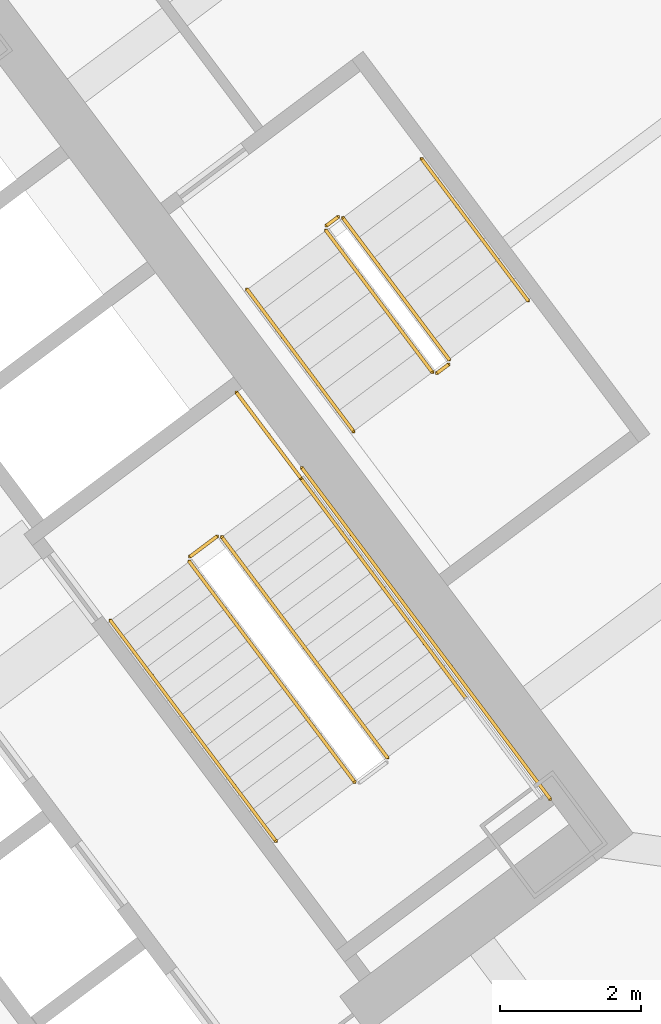
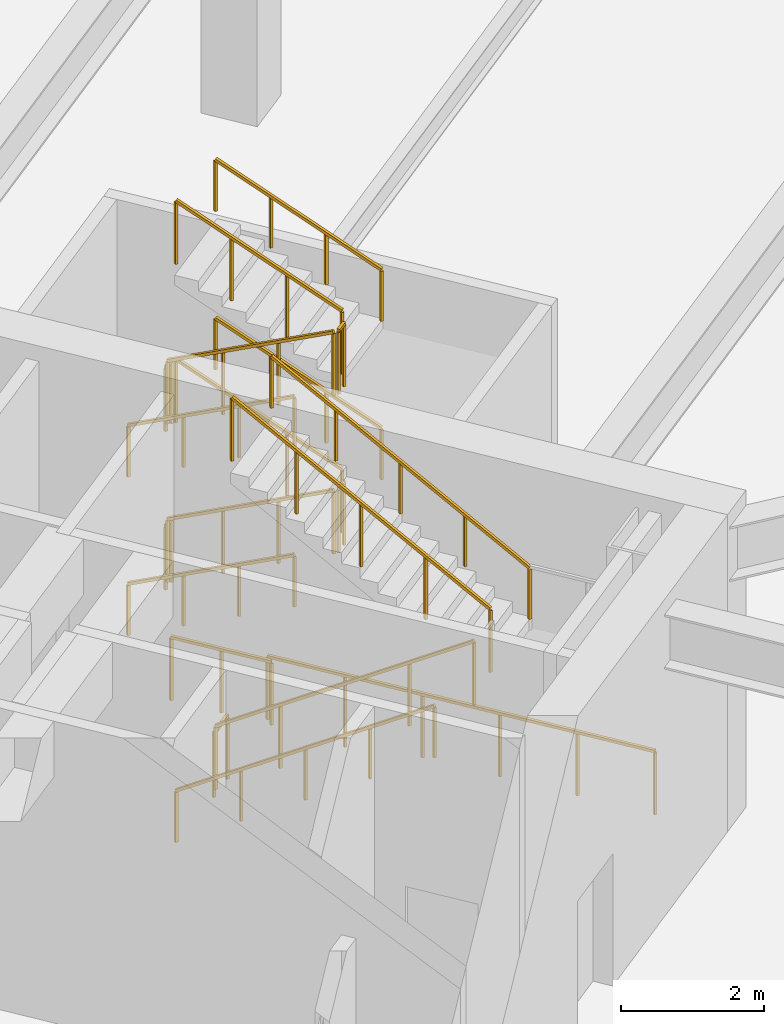
# One storey, part 47 of 48: 19 railings.
"""IFC4 building model written with IfcOpenShell, lengths in metres."""

from ifc_helpers import new_model, si_unit, direction, frame, origin, origin_2d, place, context, subcontext, project, spatial, rectangle, extrude, material, type_object, element, save


model = new_model("IFC4")

# Units and contexts
model_context = context("Model", 3, precision=1e-05, world=origin(), true_north=direction((0.0, 1.0)))
body_context = subcontext(model_context, "Body", "Model", "MODEL_VIEW")
ifc_project = project(units=[si_unit("LENGTHUNIT", "METRE"), si_unit("AREAUNIT", "SQUARE_METRE"), si_unit("VOLUMEUNIT", "CUBIC_METRE"), si_unit("PLANEANGLEUNIT", "RADIAN"), si_unit("MASSUNIT", "GRAM", prefix="KILO")], contexts=[model_context])

# Site, building, storey
site_placement = place(None, origin())
site = spatial("IfcSite", under=ifc_project, at=site_placement, CompositionType="ELEMENT")
building_placement = place(site_placement, origin())
building = spatial("IfcBuilding", under=site, at=building_placement, Name="Tashvorn Skyway Center", CompositionType="ELEMENT")
storey_placement = place(building_placement, frame((0.0, 0.0, 10.199951171875)))
storey = spatial("IfcBuildingStorey", under=building, at=storey_placement, Name="L02", CompositionType="ELEMENT", Elevation=10.199951171875)

# Railings
ifc_material_1 = material(Name="Brushed stainless steel 316", Category="steel")
railing_type_1 = type_object("IfcRailingType", Name="RAIL-HAND-920", PredefinedType="HANDRAIL", material=ifc_material_1)
railing_1_placement = place(storey_placement, frame((117.7119140625, 33.634033203125, 0.179931640625)))
element("IfcRailing", 1, at=railing_1_placement, inside=storey, type_object=railing_type_1, Name="L02 ST-T2-2 stair handrail 1", PredefinedType="HANDRAIL", context=body_context, shape_type="SweptSolid", body=[
    extrude(rectangle(XDim=0.048095703125, YDim=0.048095703125, at=origin_2d()), frame((0.0, 0.0, 0.8759765625), z_axis=(0.504715058908, -0.672935948897, 0.54075865041), x_axis=(0.799992526283, 0.600009964827, 0.0)), (0.0, 0.0, 1.0), 4.66015625),
    extrude(rectangle(XDim=0.0419921875, YDim=0.0419921875, at=origin_2d()), origin(), (0.0, 0.0, 1.0), 0.851806640625),
    extrude(rectangle(XDim=0.0419921875, YDim=0.0419921875, at=origin_2d()), frame((0.587890625, -0.783935546875, 0.6298828125)), (0.0, 0.0, 1.0), 0.851806640625),
    extrude(rectangle(XDim=0.0419921875, YDim=0.0419921875, at=origin_2d()), frame((1.176025390625, -1.56787109375, 1.260009765625)), (0.0, 0.0, 1.0), 0.851806640625),
    extrude(rectangle(XDim=0.0419921875, YDim=0.0419921875, at=origin_2d()), frame((1.76416015625, -2.35205078125, 1.89013671875)), (0.0, 0.0, 1.0), 0.851806640625),
    extrude(rectangle(XDim=0.0419921875, YDim=0.0419921875, at=origin_2d()), frame((2.35205078125, -3.135986328125, 2.52001953125)), (0.0, 0.0, 1.0), 0.851806640625),
])
railing_2_placement = place(storey_placement, frame((122.76806640625, 32.52587890625, 2.880126953125)))
element("IfcRailing", 2, at=railing_2_placement, inside=storey, type_object=railing_type_1, Name="L02 ST-T2-2 stair handrail 2", PredefinedType="HANDRAIL", context=body_context, shape_type="SweptSolid", body=[
    extrude(rectangle(XDim=0.048095703125, YDim=0.048095703125, at=origin_2d()), frame((0.0, 0.0, 0.8759765625), z_axis=(-0.504697265729, 0.672964612368, 0.540739586553), x_axis=(-0.800014946318, -0.599980071059, 0.0)), (0.0, 0.0, 1.0), 4.660400390625),
    extrude(rectangle(XDim=0.0419921875, YDim=0.0419921875, at=origin_2d()), origin(), (0.0, 0.0, 1.0), 0.851806640625),
    extrude(rectangle(XDim=0.0419921875, YDim=0.0419921875, at=origin_2d()), frame((-0.587890625, 0.7841796875, 0.6298828125)), (0.0, 0.0, 1.0), 0.851806640625),
    extrude(rectangle(XDim=0.0419921875, YDim=0.0419921875, at=origin_2d()), frame((-1.176025390625, 1.568115234375, 1.260009765625)), (0.0, 0.0, 1.0), 0.851806640625),
    extrude(rectangle(XDim=0.0419921875, YDim=0.0419921875, at=origin_2d()), frame((-1.76416015625, 2.35205078125, 1.89013671875)), (0.0, 0.0, 1.0), 0.851806640625),
    extrude(rectangle(XDim=0.0419921875, YDim=0.0419921875, at=origin_2d()), frame((-2.35205078125, 3.13623046875, 2.52001953125)), (0.0, 0.0, 1.0), 0.851806640625),
])
railing_3_placement = place(storey_placement, frame((119.656005859375, 38.342041015625, 0.168701171875)))
element("IfcRailing", 3, at=railing_3_placement, inside=storey, type_object=railing_type_1, Name="L02 ST-T2-3 stair handrail 1", PredefinedType="HANDRAIL", context=body_context, shape_type="SweptSolid", body=[
    extrude(rectangle(XDim=0.048095703125, YDim=0.048095703125, at=origin_2d()), frame((0.0, 0.0, 0.8759765625), z_axis=(0.543237809959, -0.724375558638, 0.42446758637), x_axis=(0.800023250257, 0.599968998406, 0.0)), (0.0, 0.0, 1.0), 2.783203125),
    extrude(rectangle(XDim=0.0419921875, YDim=0.0419921875, at=origin_2d()), origin(), (0.0, 0.0, 1.0), 0.851806640625),
    extrude(rectangle(XDim=0.0419921875, YDim=0.0419921875, at=origin_2d()), frame((0.50390625, -0.672119140625, 0.393798828125)), (0.0, 0.0, 1.0), 0.851806640625),
    extrude(rectangle(XDim=0.0419921875, YDim=0.0419921875, at=origin_2d()), frame((1.008056640625, -1.343994140625, 0.78759765625)), (0.0, 0.0, 1.0), 0.851806640625),
    extrude(rectangle(XDim=0.0419921875, YDim=0.0419921875, at=origin_2d()), frame((1.511962890625, -2.01611328125, 1.181396484375)), (0.0, 0.0, 1.0), 0.851806640625),
])
railing_4_placement = place(storey_placement, frame((123.64794921875, 38.18603515625, 1.518798828125)))
element("IfcRailing", 4, at=railing_4_placement, inside=storey, type_object=railing_type_1, Name="L02 ST-T2-3 stair handrail 2", PredefinedType="HANDRAIL", context=body_context, shape_type="SweptSolid", body=[
    extrude(rectangle(XDim=0.048095703125, YDim=0.048095703125, at=origin_2d()), frame((0.0, 0.0, 0.8759765625), z_axis=(-0.543292558447, 0.724360835636, 0.424422638102), x_axis=(-0.79998837352, -0.60001550166, 0.0)), (0.0, 0.0, 1.0), 2.782958984375),
    extrude(rectangle(XDim=0.0419921875, YDim=0.0419921875, at=origin_2d()), origin(), (0.0, 0.0, 1.0), 0.851806640625),
    extrude(rectangle(XDim=0.0419921875, YDim=0.0419921875, at=origin_2d()), frame((-0.50390625, 0.671875, 0.393798828125)), (0.0, 0.0, 1.0), 0.851806640625),
    extrude(rectangle(XDim=0.0419921875, YDim=0.0419921875, at=origin_2d()), frame((-1.008056640625, 1.343994140625, 0.787353515625)), (0.0, 0.0, 1.0), 0.851806640625),
    extrude(rectangle(XDim=0.0419921875, YDim=0.0419921875, at=origin_2d()), frame((-1.511962890625, 2.015869140625, 1.18115234375)), (0.0, 0.0, 1.0), 0.851806640625),
])
railing_5_placement = place(storey_placement, frame((119.656005859375, 38.342041015625, 2.868896484375)))
element("IfcRailing", 5, at=railing_5_placement, inside=storey, type_object=railing_type_1, Name="L02 ST-T2-3 stair handrail 3", PredefinedType="HANDRAIL", context=body_context, shape_type="SweptSolid", body=[
    extrude(rectangle(XDim=0.048095703125, YDim=0.048095703125, at=origin_2d()), frame((0.0, 0.0, 0.8759765625), z_axis=(0.543258035624, -0.724402528368, 0.424395668715), x_axis=(0.800023250257, 0.599968998406, 0.0)), (0.0, 0.0, 1.0), 2.783203125),
    extrude(rectangle(XDim=0.0419921875, YDim=0.0419921875, at=origin_2d()), origin(), (0.0, 0.0, 1.0), 0.851806640625),
    extrude(rectangle(XDim=0.0419921875, YDim=0.0419921875, at=origin_2d()), frame((0.50390625, -0.672119140625, 0.393798828125)), (0.0, 0.0, 1.0), 0.851806640625),
    extrude(rectangle(XDim=0.0419921875, YDim=0.0419921875, at=origin_2d()), frame((1.008056640625, -1.343994140625, 0.787353515625)), (0.0, 0.0, 1.0), 0.851806640625),
    extrude(rectangle(XDim=0.0419921875, YDim=0.0419921875, at=origin_2d()), frame((1.511962890625, -2.01611328125, 1.18115234375)), (0.0, 0.0, 1.0), 0.851806640625),
])
railing_6_placement = place(storey_placement, frame((123.64794921875, 38.18603515625, 4.21875)))
element("IfcRailing", 6, at=railing_6_placement, inside=storey, type_object=railing_type_1, Name="L02 ST-T2-3 stair handrail 4", PredefinedType="HANDRAIL", context=body_context, shape_type="SweptSolid", body=[
    extrude(rectangle(XDim=0.048095703125, YDim=0.048095703125, at=origin_2d()), frame((0.0, 0.0, 0.8759765625), z_axis=(-0.543272328926, 0.72433386403, 0.424494558319), x_axis=(-0.79998837352, -0.60001550166, 0.0)), (0.0, 0.0, 1.0), 2.782958984375),
    extrude(rectangle(XDim=0.0419921875, YDim=0.0419921875, at=origin_2d()), origin(), (0.0, 0.0, 1.0), 0.851806640625),
    extrude(rectangle(XDim=0.0419921875, YDim=0.0419921875, at=origin_2d()), frame((-0.50390625, 0.671875, 0.393798828125)), (0.0, 0.0, 1.0), 0.851806640625),
    extrude(rectangle(XDim=0.0419921875, YDim=0.0419921875, at=origin_2d()), frame((-1.008056640625, 1.343994140625, 0.78759765625)), (0.0, 0.0, 1.0), 0.851806640625),
    extrude(rectangle(XDim=0.0419921875, YDim=0.0419921875, at=origin_2d()), frame((-1.511962890625, 2.015869140625, 1.181396484375)), (0.0, 0.0, 1.0), 0.851806640625),
])
ifc_material_2 = material(Name="Painted galvanized steel S355", Category="steel")
railing_type_2 = type_object("IfcRailingType", Name="RAIL-STGUARD-1100", PredefinedType="GUARDRAIL", material=ifc_material_2)
railing_7_placement = place(storey_placement, frame((118.83203125, 34.47412109375, 0.179931640625)))
element("IfcRailing", 7, at=railing_7_placement, inside=storey, type_object=railing_type_2, Name="L02 ST-T2-2 stair guard 1", PredefinedType="GUARDRAIL", context=body_context, shape_type="SweptSolid", body=[
    extrude(rectangle(XDim=0.048095703125, YDim=0.048095703125, at=origin_2d()), frame((0.0, 0.0, 1.076171875), z_axis=(0.504697265729, -0.672964612368, 0.540739586553), x_axis=(0.800014946318, 0.599980071059, 0.0)), (0.0, 0.0, 1.0), 4.660400390625),
    extrude(rectangle(XDim=0.0419921875, YDim=0.0419921875, at=origin_2d()), origin(), (0.0, 0.0, 1.0), 1.052001953125),
    extrude(rectangle(XDim=0.0419921875, YDim=0.0419921875, at=origin_2d()), frame((0.587890625, -0.7841796875, 0.6298828125)), (0.0, 0.0, 1.0), 1.052001953125),
    extrude(rectangle(XDim=0.0419921875, YDim=0.0419921875, at=origin_2d()), frame((1.176025390625, -1.568115234375, 1.260009765625)), (0.0, 0.0, 1.0), 1.052001953125),
    extrude(rectangle(XDim=0.0419921875, YDim=0.0419921875, at=origin_2d()), frame((1.76416015625, -2.35205078125, 1.89013671875)), (0.0, 0.0, 1.0), 1.052001953125),
    extrude(rectangle(XDim=0.0419921875, YDim=0.0419921875, at=origin_2d()), frame((2.35205078125, -3.13623046875, 2.52001953125)), (0.0, 0.0, 1.0), 1.052001953125),
])
railing_8_placement = place(storey_placement, frame((121.64794921875, 31.68603515625, 2.880126953125)))
element("IfcRailing", 8, at=railing_8_placement, inside=storey, type_object=railing_type_2, Name="L02 ST-T2-2 stair guard 4", PredefinedType="GUARDRAIL", context=body_context, shape_type="SweptSolid", body=[
    extrude(rectangle(XDim=0.048095703125, YDim=0.048095703125, at=origin_2d()), frame((0.0, 0.0, 1.076171875), z_axis=(-0.504715058908, 0.672935948897, 0.54075865041), x_axis=(-0.799992526283, -0.600009964827, 0.0)), (0.0, 0.0, 1.0), 4.66015625),
    extrude(rectangle(XDim=0.0419921875, YDim=0.0419921875, at=origin_2d()), origin(), (0.0, 0.0, 1.0), 1.052001953125),
    extrude(rectangle(XDim=0.0419921875, YDim=0.0419921875, at=origin_2d()), frame((-0.587890625, 0.783935546875, 0.6298828125)), (0.0, 0.0, 1.0), 1.052001953125),
    extrude(rectangle(XDim=0.0419921875, YDim=0.0419921875, at=origin_2d()), frame((-1.176025390625, 1.56787109375, 1.260009765625)), (0.0, 0.0, 1.0), 1.052001953125),
    extrude(rectangle(XDim=0.0419921875, YDim=0.0419921875, at=origin_2d()), frame((-1.76416015625, 2.35205078125, 1.89013671875)), (0.0, 0.0, 1.0), 1.052001953125),
    extrude(rectangle(XDim=0.0419921875, YDim=0.0419921875, at=origin_2d()), frame((-2.35205078125, 3.135986328125, 2.52001953125)), (0.0, 0.0, 1.0), 1.052001953125),
])
railing_9_placement = place(storey_placement, frame((118.842041015625, 34.5439453125, 0.0)))
element("IfcRailing", 9, at=railing_9_placement, inside=storey, type_object=railing_type_2, Name="L02 ST-T2-2 stair guard 5", PredefinedType="GUARDRAIL", context=body_context, shape_type="SweptSolid", body=[
    extrude(rectangle(XDim=0.048095703125, YDim=0.048095703125, at=origin_2d()), frame((0.0, 0.0, 1.076171875), z_axis=(0.799938970639, 0.600081363861, 0.0), x_axis=(-0.600081363861, 0.799938970639, 0.0)), (0.0, 0.0, 1.0), 0.47998046875),
    extrude(rectangle(XDim=0.0419921875, YDim=0.0419921875, at=origin_2d()), origin(), (0.0, 0.0, 1.0), 1.052001953125),
    extrude(rectangle(XDim=0.0419921875, YDim=0.0419921875, at=origin_2d()), frame((0.384033203125, 0.2880859375, 0.0)), (0.0, 0.0, 1.0), 1.052001953125),
])
railing_10_placement = place(storey_placement, frame((119.50390625, 36.8779296875, 0.0)))
element("IfcRailing", 10, at=railing_10_placement, inside=storey, type_object=railing_type_2, Name="L02 ST-T2-2 stair guard 6", PredefinedType="GUARDRAIL", context=body_context, shape_type="SweptSolid", body=[
    extrude(rectangle(XDim=0.048095703125, YDim=0.048095703125, at=origin_2d()), frame((0.0, 0.0, 1.076171875), z_axis=(0.600102796382, -0.799922892393, 0.0), x_axis=(0.799922892393, 0.600102796382, 0.0)), (0.0, 0.0, 1.0), 1.52001953125),
    extrude(rectangle(XDim=0.0419921875, YDim=0.0419921875, at=origin_2d()), origin(), (0.0, 0.0, 1.0), 1.052001953125),
    extrude(rectangle(XDim=0.0419921875, YDim=0.0419921875, at=origin_2d()), frame((0.4560546875, -0.60791015625, 0.0)), (0.0, 0.0, 1.0), 1.052001953125),
    extrude(rectangle(XDim=0.0419921875, YDim=0.0419921875, at=origin_2d()), frame((0.912109375, -1.2158203125, 0.0)), (0.0, 0.0, 1.0), 1.052001953125),
])
railing_11_placement = place(storey_placement, frame((120.43603515625, 35.802001953125, 0.0)))
element("IfcRailing", 11, at=railing_11_placement, inside=storey, type_object=railing_type_2, Name="L02 ST-T2-2 stair guard 7", PredefinedType="GUARDRAIL", context=body_context, shape_type="SweptSolid", body=[
    extrude(rectangle(XDim=0.048095703125, YDim=0.048095703125, at=origin_2d()), frame((0.0, 0.0, 1.076171875), z_axis=(0.6, -0.8, 0.0), x_axis=(0.8, 0.6, 0.0)), (0.0, 0.0, 1.0), 5.880126953125),
    extrude(rectangle(XDim=0.0419921875, YDim=0.0419921875, at=origin_2d()), origin(), (0.0, 0.0, 1.0), 1.052001953125),
    extrude(rectangle(XDim=0.0419921875, YDim=0.0419921875, at=origin_2d()), frame((0.70556640625, -0.94091796875, 0.0)), (0.0, 0.0, 1.0), 1.052001953125),
    extrude(rectangle(XDim=0.0419921875, YDim=0.0419921875, at=origin_2d()), frame((1.4111328125, -1.881591796875, 0.0)), (0.0, 0.0, 1.0), 1.052001953125),
    extrude(rectangle(XDim=0.0419921875, YDim=0.0419921875, at=origin_2d()), frame((2.116943359375, -2.822509765625, 0.0)), (0.0, 0.0, 1.0), 1.052001953125),
    extrude(rectangle(XDim=0.0419921875, YDim=0.0419921875, at=origin_2d()), frame((2.822509765625, -3.76318359375, 0.0)), (0.0, 0.0, 1.0), 1.052001953125),
    extrude(rectangle(XDim=0.0419921875, YDim=0.0419921875, at=origin_2d()), frame((3.528076171875, -4.7041015625, 0.0)), (0.0, 0.0, 1.0), 1.052001953125),
])
railing_12_placement = place(storey_placement, frame((120.77587890625, 39.181884765625, 0.168701171875)))
element("IfcRailing", 12, at=railing_12_placement, inside=storey, type_object=railing_type_2, Name="L02 ST-T2-3 stair guard 1", PredefinedType="GUARDRAIL", context=body_context, shape_type="SweptSolid", body=[
    extrude(rectangle(XDim=0.048095703125, YDim=0.048095703125, at=origin_2d()), frame((0.0, 0.0, 1.076171875), z_axis=(0.543334156948, -0.724299343545, 0.424474327651), x_axis=(0.799941867976, 0.600077501544, 0.0)), (0.0, 0.0, 1.0), 2.783203125),
    extrude(rectangle(XDim=0.0419921875, YDim=0.0419921875, at=origin_2d()), origin(), (0.0, 0.0, 1.0), 1.052001953125),
    extrude(rectangle(XDim=0.0419921875, YDim=0.0419921875, at=origin_2d()), frame((0.504150390625, -0.671875, 0.393798828125)), (0.0, 0.0, 1.0), 1.052001953125),
    extrude(rectangle(XDim=0.0419921875, YDim=0.0419921875, at=origin_2d()), frame((1.008056640625, -1.343994140625, 0.78759765625)), (0.0, 0.0, 1.0), 1.052001953125),
    extrude(rectangle(XDim=0.0419921875, YDim=0.0419921875, at=origin_2d()), frame((1.51220703125, -2.015869140625, 1.181396484375)), (0.0, 0.0, 1.0), 1.052001953125),
])
railing_13_placement = place(storey_placement, frame((122.35791015625, 37.156005859375, 1.35009765625)))
element("IfcRailing", 13, at=railing_13_placement, inside=storey, type_object=railing_type_2, Name="L02 ST-T2-3 stair guard 2", PredefinedType="GUARDRAIL", context=body_context, shape_type="SweptSolid", body=[
    extrude(rectangle(XDim=0.048095703125, YDim=0.048095703125, at=origin_2d()), frame((0.0, 0.0, 1.076171875), z_axis=(0.800585412921, 0.599218655098, 0.0), x_axis=(-0.599218655098, 0.800585412921, 0.0)), (0.0, 0.0, 1.0), 0.199951171875),
    extrude(rectangle(XDim=0.0419921875, YDim=0.0419921875, at=origin_2d()), origin(), (0.0, 0.0, 1.0), 1.052001953125),
    extrude(rectangle(XDim=0.0419921875, YDim=0.0419921875, at=origin_2d()), frame((0.16015625, 0.119873046875, 0.0)), (0.0, 0.0, 1.0), 1.052001953125),
])
railing_14_placement = place(storey_placement, frame((122.528076171875, 37.345947265625, 1.518798828125)))
element("IfcRailing", 14, at=railing_14_placement, inside=storey, type_object=railing_type_2, Name="L02 ST-T2-3 stair guard 3", PredefinedType="GUARDRAIL", context=body_context, shape_type="SweptSolid", body=[
    extrude(rectangle(XDim=0.048095703125, YDim=0.048095703125, at=origin_2d()), frame((0.0, 0.0, 1.076171875), z_axis=(-0.543258035624, 0.724402528368, 0.424395668715), x_axis=(-0.800023250257, -0.599968998406, 0.0)), (0.0, 0.0, 1.0), 2.783203125),
    extrude(rectangle(XDim=0.0419921875, YDim=0.0419921875, at=origin_2d()), origin(), (0.0, 0.0, 1.0), 1.052001953125),
    extrude(rectangle(XDim=0.0419921875, YDim=0.0419921875, at=origin_2d()), frame((-0.50390625, 0.672119140625, 0.393798828125)), (0.0, 0.0, 1.0), 1.052001953125),
    extrude(rectangle(XDim=0.0419921875, YDim=0.0419921875, at=origin_2d()), frame((-1.008056640625, 1.343994140625, 0.787353515625)), (0.0, 0.0, 1.0), 1.052001953125),
    extrude(rectangle(XDim=0.0419921875, YDim=0.0419921875, at=origin_2d()), frame((-1.511962890625, 2.01611328125, 1.18115234375)), (0.0, 0.0, 1.0), 1.052001953125),
])
railing_15_placement = place(storey_placement, frame((120.785888671875, 39.251953125, 2.699951171875)))
element("IfcRailing", 15, at=railing_15_placement, inside=storey, type_object=railing_type_2, Name="L02 ST-T2-3 stair guard 4", PredefinedType="GUARDRAIL", context=body_context, shape_type="SweptSolid", body=[
    extrude(rectangle(XDim=0.048095703125, YDim=0.048095703125, at=origin_2d()), frame((0.0, 0.0, 1.076171875), z_axis=(0.8, 0.6, 0.0), x_axis=(-0.6, 0.8, 0.0)), (0.0, 0.0, 1.0), 0.2001953125),
    extrude(rectangle(XDim=0.0419921875, YDim=0.0419921875, at=origin_2d()), origin(), (0.0, 0.0, 1.0), 1.052001953125),
    extrude(rectangle(XDim=0.0419921875, YDim=0.0419921875, at=origin_2d()), frame((0.16015625, 0.1201171875, 0.0)), (0.0, 0.0, 1.0), 1.052001953125),
])
railing_16_placement = place(storey_placement, frame((120.77587890625, 39.181884765625, 2.868896484375)))
element("IfcRailing", 16, at=railing_16_placement, inside=storey, type_object=railing_type_2, Name="L02 ST-T2-3 stair guard 5", PredefinedType="GUARDRAIL", context=body_context, shape_type="SweptSolid", body=[
    extrude(rectangle(XDim=0.048095703125, YDim=0.048095703125, at=origin_2d()), frame((0.0, 0.0, 1.076171875), z_axis=(0.543354386842, -0.724326311294, 0.424402409355), x_axis=(0.799941867976, 0.600077501544, 0.0)), (0.0, 0.0, 1.0), 2.783203125),
    extrude(rectangle(XDim=0.0419921875, YDim=0.0419921875, at=origin_2d()), origin(), (0.0, 0.0, 1.0), 1.052001953125),
    extrude(rectangle(XDim=0.0419921875, YDim=0.0419921875, at=origin_2d()), frame((0.504150390625, -0.671875, 0.393798828125)), (0.0, 0.0, 1.0), 1.052001953125),
    extrude(rectangle(XDim=0.0419921875, YDim=0.0419921875, at=origin_2d()), frame((1.008056640625, -1.343994140625, 0.787353515625)), (0.0, 0.0, 1.0), 1.052001953125),
    extrude(rectangle(XDim=0.0419921875, YDim=0.0419921875, at=origin_2d()), frame((1.51220703125, -2.015869140625, 1.18115234375)), (0.0, 0.0, 1.0), 1.052001953125),
])
railing_17_placement = place(storey_placement, frame((122.35791015625, 37.156005859375, 4.050048828125)))
element("IfcRailing", 17, at=railing_17_placement, inside=storey, type_object=railing_type_2, Name="L02 ST-T2-3 stair guard 6", PredefinedType="GUARDRAIL", context=body_context, shape_type="SweptSolid", body=[
    extrude(rectangle(XDim=0.048095703125, YDim=0.048095703125, at=origin_2d()), frame((0.0, 0.0, 1.076171875), z_axis=(0.800585412921, 0.599218655098, 0.0), x_axis=(-0.599218655098, 0.800585412921, 0.0)), (0.0, 0.0, 1.0), 0.199951171875),
    extrude(rectangle(XDim=0.0419921875, YDim=0.0419921875, at=origin_2d()), origin(), (0.0, 0.0, 1.0), 1.052001953125),
    extrude(rectangle(XDim=0.0419921875, YDim=0.0419921875, at=origin_2d()), frame((0.16015625, 0.119873046875, 0.0)), (0.0, 0.0, 1.0), 1.052001953125),
])
railing_18_placement = place(storey_placement, frame((122.528076171875, 37.345947265625, 4.21875)))
element("IfcRailing", 18, at=railing_18_placement, inside=storey, type_object=railing_type_2, Name="L02 ST-T2-3 stair guard 7", PredefinedType="GUARDRAIL", context=body_context, shape_type="SweptSolid", body=[
    extrude(rectangle(XDim=0.048095703125, YDim=0.048095703125, at=origin_2d()), frame((0.0, 0.0, 1.076171875), z_axis=(-0.543237809959, 0.724375558638, 0.42446758637), x_axis=(-0.800023250257, -0.599968998406, 0.0)), (0.0, 0.0, 1.0), 2.783203125),
    extrude(rectangle(XDim=0.0419921875, YDim=0.0419921875, at=origin_2d()), origin(), (0.0, 0.0, 1.0), 1.052001953125),
    extrude(rectangle(XDim=0.0419921875, YDim=0.0419921875, at=origin_2d()), frame((-0.50390625, 0.672119140625, 0.393798828125)), (0.0, 0.0, 1.0), 1.052001953125),
    extrude(rectangle(XDim=0.0419921875, YDim=0.0419921875, at=origin_2d()), frame((-1.008056640625, 1.343994140625, 0.78759765625)), (0.0, 0.0, 1.0), 1.052001953125),
    extrude(rectangle(XDim=0.0419921875, YDim=0.0419921875, at=origin_2d()), frame((-1.511962890625, 2.01611328125, 1.181396484375)), (0.0, 0.0, 1.0), 1.052001953125),
])
railing_19_placement = place(storey_placement, frame((120.785888671875, 39.251953125, 0.0)))
element("IfcRailing", 19, at=railing_19_placement, inside=storey, type_object=railing_type_2, Name="L02 ST-T2-3 stair guard 8", PredefinedType="GUARDRAIL", context=body_context, shape_type="SweptSolid", body=[
    extrude(rectangle(XDim=0.048095703125, YDim=0.048095703125, at=origin_2d()), frame((0.0, 0.0, 1.076171875), z_axis=(0.8, 0.6, 0.0), x_axis=(-0.6, 0.8, 0.0)), (0.0, 0.0, 1.0), 0.2001953125),
    extrude(rectangle(XDim=0.0419921875, YDim=0.0419921875, at=origin_2d()), origin(), (0.0, 0.0, 1.0), 1.052001953125),
    extrude(rectangle(XDim=0.0419921875, YDim=0.0419921875, at=origin_2d()), frame((0.16015625, 0.1201171875, 0.0)), (0.0, 0.0, 1.0), 1.052001953125),
])

save(model, "model.ifc")
